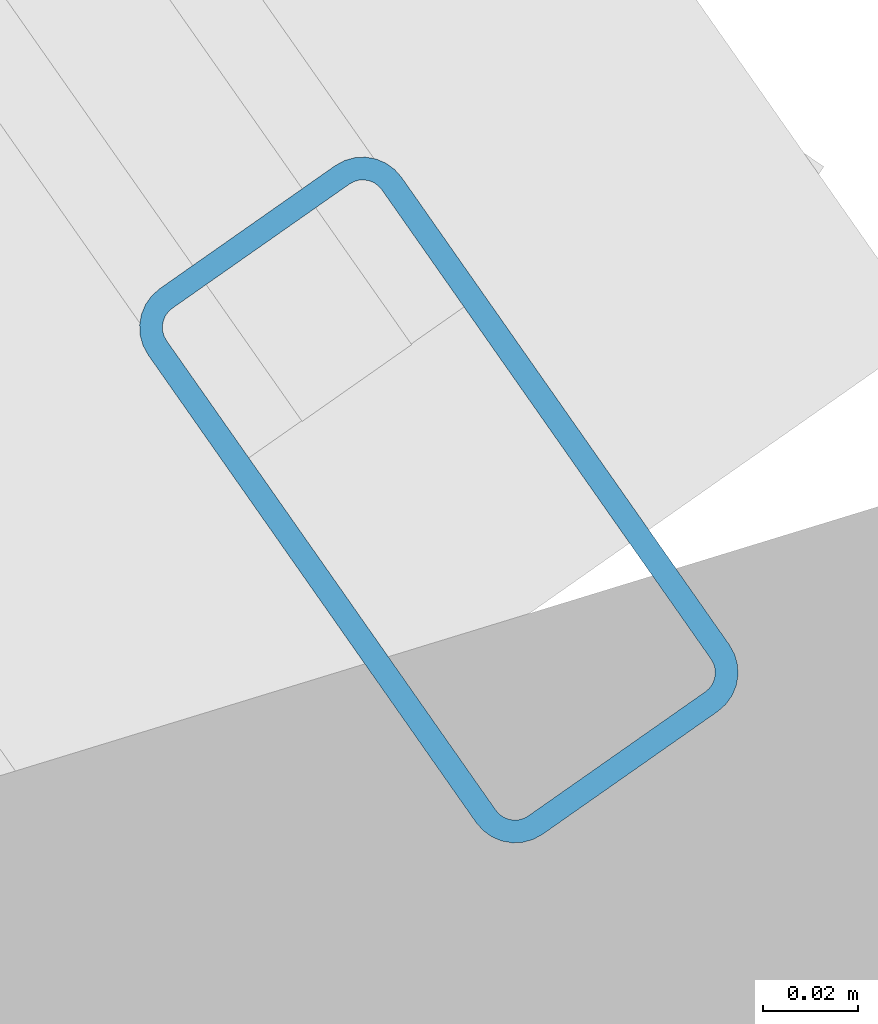
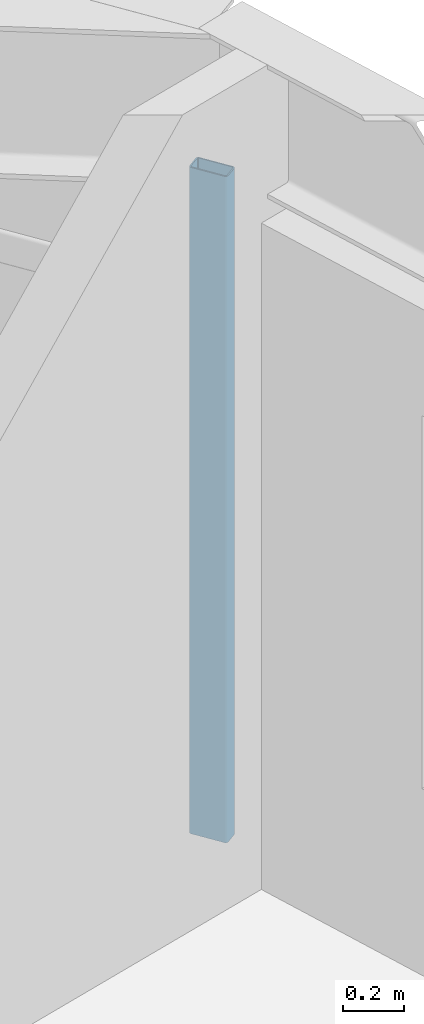
# One storey, part 14 of 29: 1 member, 1 element without a shape of its own.
"""IFC4 building model written with IfcOpenShell, lengths in metres."""

from ifc_helpers import new_model, si_unit, direction, frame, origin, origin_2d, place, context, subcontext, project, spatial, hollow_rectangle, extrude, material, layer, layer_set, material_profile, profile_set, type_object, element, aggregate, save


model = new_model("IFC4")

# Units and contexts
model_context = context("Model", 3, precision=1e-05, world=origin(), true_north=direction((0.0, 1.0)))
body_context = subcontext(model_context, "Body", "Model", "MODEL_VIEW")
ifc_project = project(units=[si_unit("LENGTHUNIT", "METRE"), si_unit("AREAUNIT", "SQUARE_METRE"), si_unit("VOLUMEUNIT", "CUBIC_METRE"), si_unit("PLANEANGLEUNIT", "RADIAN"), si_unit("MASSUNIT", "GRAM", prefix="KILO")], contexts=[model_context])

# Site, building, storey
site_placement = place(None, origin())
site = spatial("IfcSite", under=ifc_project, at=site_placement, CompositionType="ELEMENT")
building_placement = place(site_placement, origin())
building = spatial("IfcBuilding", under=site, at=building_placement, Name="Soratama Intermodal Tower", CompositionType="ELEMENT")
storey_placement = place(building_placement, frame((0.0, 0.0, 226.60009765625)))
storey = spatial("IfcBuildingStorey", under=building, at=storey_placement, Name="L57", CompositionType="ELEMENT", Elevation=226.60009765625)

# Curtain wall, member
ifc_material_1 = material(Name="Double-glazed aluminium curtain wall", Category="aluminium")
ifc_layer = layer(ifc_material_1, 0.159912109375)
ifc_layer_set = layer_set([ifc_layer], Name="Double-glazed aluminium curtain wall")
curtain_wall_type = type_object("IfcCurtainWallType", Name="CW-SYS-5", PredefinedType="NOTDEFINED", material=ifc_layer_set)
curtain_wall_placement = place(storey_placement, origin())
curtain_wall = element("IfcCurtainWall", 1, at=curtain_wall_placement, inside=storey, type_object=curtain_wall_type, Name="L57 Faceted Curtain Wall F10", PredefinedType="NOTDEFINED")
ifc_material_2 = material(Name="Anodised aluminium AA 6063-T6", Category="aluminium")
ifc_material_profile = material_profile(ifc_material_2, hollow_rectangle(XDim=0.06494140625, YDim=0.139892578125, WallThickness=0.0048828125, InnerFilletRadius=0.0048828125, OuterFilletRadius=0.010009765625, at=origin_2d()), Name="CWM140X65X5")
ifc_profile_set = profile_set([ifc_material_profile], Name="Anodised aluminium AA 6063-T6")
member_type = type_object("IfcMemberType", Name="MT-CWM-5", PredefinedType="MULLION", material=ifc_profile_set)
member_placement = place(storey_placement, frame((64.06982421875, 32.426025390625, 0.0), z_axis=(0.0, 0.0, 1.0), x_axis=(-0.818750210782, -0.574149886653, 0.0)))
member = element("IfcMember", 2, at=member_placement, type_object=member_type, Name="CW-5 mullion 1", PredefinedType="MULLION", context=body_context, shape_type="SweptSolid", body=[
    extrude(hollow_rectangle(XDim=0.06494140625, YDim=0.139892578125, WallThickness=0.0048828125, InnerFilletRadius=0.0048828125, OuterFilletRadius=0.010009765625, at=origin_2d()), origin(), (0.0, 0.0, 1.0), 2.678955078125),
])
aggregate(curtain_wall, [member])

save(model, "model.ifc")
